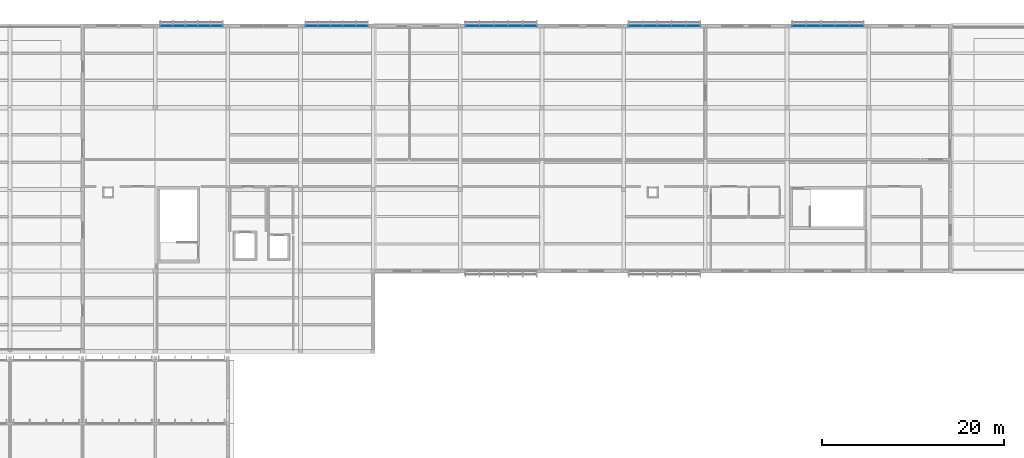
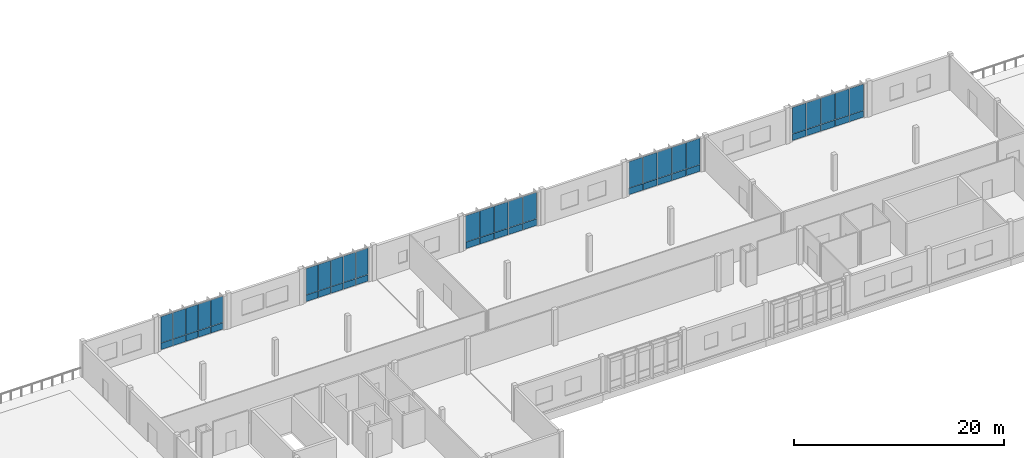
# One storey, part 79 of 94: 50 plates, 5 elements without a shape of their own.
"""IFC4 building model written with IfcOpenShell, lengths in metres."""

import ifcopenshell
import ifcopenshell.guid

model = None  # the IFC model being written
_history = None  # IfcOwnerHistory: only IFC2X3 demands one
_inside = {}  # id of a spatial element -> (the spatial element, [elements in it])
_under = {}  # id of a project, library or spatial element -> (it, [spatial elements below it])
_declared = {}  # id of a project -> (the project, [libraries it declares])
_typed = {}  # id of a type object -> (the type object, [elements of that type])
_made_of = {}  # id of a material, layer set ... -> (it, [elements and type objects made of it])


def new_model(schema):
    """Start an empty IFC model of exactly this schema.

    Asked for "IFC4X3", IfcOpenShell would pick the latest addendum, in which some entities
    have other attributes; the version numbers below select the first issue.
    IFC2X3 requires an IfcOwnerHistory on every rooted entity: one is made here for all.
    """
    global model, _history
    if schema == "IFC4X3":
        model = ifcopenshell.file(schema_version=(4, 3, 0, 0))
    else:
        model = ifcopenshell.file(schema=schema)
    _inside.clear()
    _under.clear()
    _declared.clear()
    _typed.clear()
    _made_of.clear()
    _history = None
    if model.schema == "IFC2X3":
        org = make("IfcOrganization", Name="unknown")
        user = make(
            "IfcPersonAndOrganization",
            ThePerson=make("IfcPerson", FamilyName="unknown"),
            TheOrganization=org,
        )
        app = make(
            "IfcApplication",
            ApplicationDeveloper=org,
            Version="unknown",
            ApplicationFullName="unknown",
            ApplicationIdentifier="unknown",
        )
        _history = make(
            "IfcOwnerHistory",
            OwningUser=user,
            OwningApplication=app,
            ChangeAction="ADDED",
            CreationDate=0,
        )
    return model


def make(cls, **values):
    """One entity of the class cls with the attributes given. An attribute that is None is left unset."""
    return model.create_entity(
        cls, **{name: value for name, value in values.items() if value is not None}
    )


def rooted(cls, **values):
    """An entity with a GlobalId (a new one), such as an element, a storey or a relation."""
    return make(cls, GlobalId=ifcopenshell.guid.new(), OwnerHistory=_history, **values)


def si_unit(unit_type, name, prefix=None):
    """IfcSIUnit, for example si_unit("LENGTHUNIT", "METRE", prefix="MILLI")."""
    return make("IfcSIUnit", UnitType=unit_type, Prefix=prefix, Name=name)


def assignment(units):
    """IfcUnitAssignment: the units of a project."""
    return None if units is None else make("IfcUnitAssignment", Units=units)


def point(xyz):
    """IfcCartesianPoint."""
    return None if xyz is None else make("IfcCartesianPoint", Coordinates=xyz)


def direction(xyz):
    """IfcDirection."""
    return None if xyz is None else make("IfcDirection", DirectionRatios=xyz)


def frame(location, z_axis=None, x_axis=None):
    """IfcAxis2Placement3D, a coordinate frame: its origin and axes. An axis left out is left unset."""
    return make(
        "IfcAxis2Placement3D",
        Location=point(location),
        Axis=direction(z_axis),
        RefDirection=direction(x_axis),
    )


def frame_2d(location, x_axis=None):
    """IfcAxis2Placement2D, a coordinate frame in the plane: its origin and x axis."""
    return make(
        "IfcAxis2Placement2D", Location=point(location), RefDirection=direction(x_axis)
    )


def origin():
    """The frame at (0, 0, 0) with its axes left unset."""
    return frame((0.0, 0.0, 0.0))


def origin_2d():
    """The frame at (0, 0) in the plane with its x axis left unset."""
    return frame_2d((0.0, 0.0))


def place(relative_to, where):
    """IfcLocalPlacement: puts the frame where relative to a parent placement (None: the world)."""
    return make(
        "IfcLocalPlacement", PlacementRelTo=relative_to, RelativePlacement=where
    )


def context(
    kind, dimensions, precision=None, world=None, true_north=None, identifier=None
):
    """IfcGeometricRepresentationContext, for example the 3D "Model" context."""
    return make(
        "IfcGeometricRepresentationContext",
        ContextIdentifier=identifier,
        ContextType=kind,
        CoordinateSpaceDimension=dimensions,
        Precision=precision,
        WorldCoordinateSystem=world,
        TrueNorth=true_north,
    )


def subcontext(parent, identifier, kind, view, scale=None):
    """IfcGeometricRepresentationSubContext, for example "Body" below "Model"."""
    return make(
        "IfcGeometricRepresentationSubContext",
        ContextIdentifier=identifier,
        ContextType=kind,
        ParentContext=parent,
        TargetScale=scale,
        TargetView=view,
    )


def project(units=None, contexts=None):
    """IfcProject with its units and contexts."""
    return rooted(
        "IfcProject",
        Name="project",
        RepresentationContexts=contexts,
        UnitsInContext=assignment(units),
    )


def spatial(cls, under=None, at=None, **own):
    """A site, building, storey or space (cls), placed at a placement, below another one or the project."""
    s = rooted(cls, ObjectPlacement=at, **own)
    if under is not None:
        _under.setdefault(under.id(), (under, []))[1].append(s)
    return s


def profile(cls, at=None, kind="AREA", **sizes):
    """A parametric profile (cls). Its sizes go by their IFC names, for example OverallWidth=200.0."""
    return make(cls, ProfileType=kind, Position=at, **sizes)


def rectangle(**sizes):
    """IfcRectangleProfileDef."""
    return profile("IfcRectangleProfileDef", **sizes)


def extrude(swept, where, along, depth):
    """IfcExtrudedAreaSolid: the profile swept, set in the frame where, extruded along a direction by depth."""
    return make(
        "IfcExtrudedAreaSolid",
        SweptArea=swept,
        Position=where,
        ExtrudedDirection=direction(along),
        Depth=depth,
    )


def shape(context_of_items, identifier, shape_type, items):
    """IfcShapeRepresentation: the items that make up one representation, for example the "Body"."""
    return make(
        "IfcShapeRepresentation",
        ContextOfItems=context_of_items,
        RepresentationIdentifier=identifier,
        RepresentationType=shape_type,
        Items=items,
    )


def material(Name=None, Category=None):
    """IfcMaterial."""
    return make("IfcMaterial", Name=Name, Category=Category)


def layer(
    of_material, thickness, ventilated=None, Name=None, Category=None, Priority=None
):
    """IfcMaterialLayer: one layer of a wall or slab, of a material (None: an air gap)."""
    return make(
        "IfcMaterialLayer",
        Material=of_material,
        LayerThickness=thickness,
        IsVentilated=ventilated,
        Name=Name,
        Category=Category,
        Priority=Priority,
    )


def layer_set(layers, Name=None):
    """IfcMaterialLayerSet."""
    return make("IfcMaterialLayerSet", MaterialLayers=layers, LayerSetName=Name)


def made_of(thing, what):
    """Note that an element or type object is made of a material, layer set ...; save() writes the relation."""
    if what is not None:
        _made_of.setdefault(what.id(), (what, []))[1].append(thing)
    return thing


def type_object(cls, material=None, **own):
    """A type object (cls), such as IfcWallType, which elements share."""
    return made_of(rooted(cls, **own), material)


def element(
    cls,
    number,
    at=None,
    inside=None,
    cuts=None,
    type_object=None,
    material=None,
    context=None,
    identifier="Body",
    shape_type=None,
    held_by="IfcProductDefinitionShape",
    body=None,
    shapes=None,
    **own,
):
    """One element of the class cls, such as IfcWall. Its Tag is "e" and its number.

    at: its placement. inside: the storey or other place that contains it. cuts: it is an
    opening in that element (IfcRelVoidsElement). A single representation is given by context,
    identifier, shape_type and body (its items); several are given by shapes. held_by: the class
    of the entity that holds the representations. save() writes the other relations.
    """
    e = rooted(cls, Tag="e%d" % number, ObjectPlacement=at, **own)
    if body is not None:
        shapes = [shape(context, identifier, shape_type, body)]
    if shapes is not None:
        e.Representation = make(held_by, Representations=shapes)
    if inside is not None:
        _inside.setdefault(inside.id(), (inside, []))[1].append(e)
    if cuts is not None:
        rooted(
            "IfcRelVoidsElement", RelatingBuildingElement=cuts, RelatedOpeningElement=e
        )
    if type_object is not None:
        _typed.setdefault(type_object.id(), (type_object, []))[1].append(e)
    return made_of(e, material)


def aggregate(whole, parts):
    """IfcRelAggregates: a whole, such as a stair, and the parts it consists of."""
    return rooted("IfcRelAggregates", RelatingObject=whole, RelatedObjects=parts)


def save(model, path):
    """Write the relations noted so far, then the file.

    IfcRelAggregates (storeys below a building ...), IfcRelContainedInSpatialStructure (elements
    in a storey), IfcRelDefinesByType, IfcRelAssociatesMaterial and IfcRelDeclares: one each for
    every whole, place, type object, material and project.
    """
    for whole, parts in _under.values():
        aggregate(whole, parts)
    for where, things in _inside.values():
        rooted(
            "IfcRelContainedInSpatialStructure",
            RelatedElements=things,
            RelatingStructure=where,
        )
    for kind, things in _typed.values():
        rooted("IfcRelDefinesByType", RelatedObjects=things, RelatingType=kind)
    for what, things in _made_of.values():
        rooted("IfcRelAssociatesMaterial", RelatedObjects=things, RelatingMaterial=what)
    for by, libraries in _declared.values():
        rooted("IfcRelDeclares", RelatingContext=by, RelatedDefinitions=libraries)
    model.write(path)


model = new_model("IFC4")

# Units and contexts
model_context = context("Model", 3, precision=1e-05, world=origin(), true_north=direction((0.0, 1.0)))
body_context = subcontext(model_context, "Body", "Model", "MODEL_VIEW")
ifc_project = project(units=[si_unit("LENGTHUNIT", "METRE"), si_unit("AREAUNIT", "SQUARE_METRE"), si_unit("VOLUMEUNIT", "CUBIC_METRE"), si_unit("PLANEANGLEUNIT", "RADIAN"), si_unit("MASSUNIT", "GRAM", prefix="KILO")], contexts=[model_context])

# Site, building, storey
site_placement = place(None, origin())
site = spatial("IfcSite", under=ifc_project, at=site_placement, CompositionType="ELEMENT")
building_placement = place(site_placement, origin())
building = spatial("IfcBuilding", under=site, at=building_placement, Name="Chiffa Square Polytechnic", CompositionType="ELEMENT")
storey_placement = place(building_placement, frame((0.0, 0.0, 18.0)))
storey = spatial("IfcBuildingStorey", under=building, at=storey_placement, Name="L04", CompositionType="ELEMENT", Elevation=18.0)

# Curtain wall, plates
ifc_material_1 = material(Name="Aluminium EN AW-6060 T66 and glulam shading", Category="wood")
curtain_wall_type_1 = type_object("IfcCurtainWallType", Name="CW-VERT-540X440", PredefinedType="USERDEFINED", material=ifc_material_1)
curtain_wall_1_placement = place(storey_placement, origin())
curtain_wall_1 = element("IfcCurtainWall", 1, at=curtain_wall_1_placement, inside=storey, type_object=curtain_wall_type_1, Name="Curtain wall CW-V5-L04-247", ObjectType="CURTAIN WALL", PredefinedType="USERDEFINED")
ifc_material_2 = material(Name="Double glazing", Category="glass")
ifc_layer_1 = layer(ifc_material_2, 0.0458984375, Name="Double glazing")
ifc_layer_set_1 = layer_set([ifc_layer_1], Name="Double glazing")
plate_type_1 = type_object("IfcPlateType", Name="CWP-GLZ-128X106", PredefinedType="CURTAIN_PANEL", material=ifc_layer_set_1)
plate_1_placement = place(storey_placement, frame((30.757080078125, 130.800048828125, 0.83984375), z_axis=(0.0, 0.0, 1.0), x_axis=(-1.0, 0.0, 0.0)))
plate_1 = element("IfcPlate", 2, at=plate_1_placement, type_object=plate_type_1, Name="Glazed curtain panel CW-V5-L04-247-PN01", PredefinedType="CURTAIN_PANEL", context=body_context, shape_type="SweptSolid", body=[
    extrude(rectangle(XDim=1.31005859375, YDim=0.0458984375, at=origin_2d()), origin(), (0.0, 0.0, 1.0), 3.050048828125),
])
plate_2_placement = place(storey_placement, frame((29.384033203125, 130.800048828125, 0.83984375), z_axis=(0.0, 0.0, 1.0), x_axis=(-1.0, 0.0, 0.0)))
plate_2 = element("IfcPlate", 3, at=plate_2_placement, type_object=plate_type_1, Name="Glazed curtain panel CW-V5-L04-247-PN02", PredefinedType="CURTAIN_PANEL", context=body_context, shape_type="SweptSolid", body=[
    extrude(rectangle(XDim=1.33203125, YDim=0.0458984375, at=origin_2d()), origin(), (0.0, 0.0, 1.0), 3.050048828125),
])
plate_3_placement = place(storey_placement, frame((28.0, 130.800048828125, 0.83984375), z_axis=(0.0, 0.0, 1.0), x_axis=(-1.0, 0.0, 0.0)))
plate_3 = element("IfcPlate", 4, at=plate_3_placement, type_object=plate_type_1, Name="Glazed curtain panel CW-V5-L04-247-PN03", PredefinedType="CURTAIN_PANEL", context=body_context, shape_type="SweptSolid", body=[
    extrude(rectangle(XDim=1.33203125, YDim=0.0458984375, at=origin_2d()), origin(), (0.0, 0.0, 1.0), 3.050048828125),
])
plate_4_placement = place(storey_placement, frame((26.615966796875, 130.800048828125, 0.83984375), z_axis=(0.0, 0.0, 1.0), x_axis=(-1.0, 0.0, 0.0)))
plate_4 = element("IfcPlate", 5, at=plate_4_placement, type_object=plate_type_1, Name="Glazed curtain panel CW-V5-L04-247-PN04", PredefinedType="CURTAIN_PANEL", context=body_context, shape_type="SweptSolid", body=[
    extrude(rectangle(XDim=1.33203125, YDim=0.0458984375, at=origin_2d()), origin(), (0.0, 0.0, 1.0), 3.050048828125),
])
plate_5_placement = place(storey_placement, frame((25.242919921875, 130.800048828125, 0.83984375), z_axis=(0.0, 0.0, 1.0), x_axis=(-1.0, 0.0, 0.0)))
plate_5 = element("IfcPlate", 6, at=plate_5_placement, type_object=plate_type_1, Name="Glazed curtain panel CW-V5-L04-247-PN05", PredefinedType="CURTAIN_PANEL", context=body_context, shape_type="SweptSolid", body=[
    extrude(rectangle(XDim=1.31005859375, YDim=0.0458984375, at=origin_2d()), origin(), (0.0, 0.0, 1.0), 3.050048828125),
])

curtain_wall_type_2 = type_object("IfcCurtainWallType", Name="CW-VERT-480X380", PredefinedType="USERDEFINED", material=ifc_material_1)
curtain_wall_2_placement = place(storey_placement, origin())
curtain_wall_2 = element("IfcCurtainWall", 7, at=curtain_wall_2_placement, inside=storey, type_object=curtain_wall_type_2, Name="Curtain wall CW-V5-L04-246", ObjectType="CURTAIN WALL", PredefinedType="USERDEFINED")
ifc_layer_2 = layer(ifc_material_2, 0.0458984375, Name="Double glazing")
ifc_layer_set_2 = layer_set([ifc_layer_2], Name="Double glazing")
plate_type_2 = type_object("IfcPlateType", Name="CWP-GLZ-130X110", PredefinedType="CURTAIN_PANEL", material=ifc_layer_set_2)
plate_6_placement = place(storey_placement, frame((46.757080078125, 130.800048828125, 0.83984375), z_axis=(0.0, 0.0, 1.0), x_axis=(-1.0, 0.0, 0.0)))
plate_6 = element("IfcPlate", 8, at=plate_6_placement, type_object=plate_type_2, Name="Glazed curtain panel CW-V5-L04-246-PN01", PredefinedType="CURTAIN_PANEL", context=body_context, shape_type="SweptSolid", body=[
    extrude(rectangle(XDim=1.31005859375, YDim=0.0458984375, at=origin_2d()), origin(), (0.0, 0.0, 1.0), 3.050048828125),
])
plate_7_placement = place(storey_placement, frame((45.384033203125, 130.800048828125, 0.83984375), z_axis=(0.0, 0.0, 1.0), x_axis=(-1.0, 0.0, 0.0)))
plate_7 = element("IfcPlate", 9, at=plate_7_placement, type_object=plate_type_2, Name="Glazed curtain panel CW-V5-L04-246-PN02", PredefinedType="CURTAIN_PANEL", context=body_context, shape_type="SweptSolid", body=[
    extrude(rectangle(XDim=1.33203125, YDim=0.0458984375, at=origin_2d()), origin(), (0.0, 0.0, 1.0), 3.050048828125),
])
plate_8_placement = place(storey_placement, frame((44.0, 130.800048828125, 0.83984375), z_axis=(0.0, 0.0, 1.0), x_axis=(-1.0, 0.0, 0.0)))
plate_8 = element("IfcPlate", 10, at=plate_8_placement, type_object=plate_type_2, Name="Glazed curtain panel CW-V5-L04-246-PN03", PredefinedType="CURTAIN_PANEL", context=body_context, shape_type="SweptSolid", body=[
    extrude(rectangle(XDim=1.33203125, YDim=0.0458984375, at=origin_2d()), origin(), (0.0, 0.0, 1.0), 3.050048828125),
])
plate_9_placement = place(storey_placement, frame((42.615966796875, 130.800048828125, 0.83984375), z_axis=(0.0, 0.0, 1.0), x_axis=(-1.0, 0.0, 0.0)))
plate_9 = element("IfcPlate", 11, at=plate_9_placement, type_object=plate_type_2, Name="Glazed curtain panel CW-V5-L04-246-PN04", PredefinedType="CURTAIN_PANEL", context=body_context, shape_type="SweptSolid", body=[
    extrude(rectangle(XDim=1.33203125, YDim=0.0458984375, at=origin_2d()), origin(), (0.0, 0.0, 1.0), 3.050048828125),
])
plate_10_placement = place(storey_placement, frame((41.242919921875, 130.800048828125, 0.83984375), z_axis=(0.0, 0.0, 1.0), x_axis=(-1.0, 0.0, 0.0)))
plate_10 = element("IfcPlate", 12, at=plate_10_placement, type_object=plate_type_2, Name="Glazed curtain panel CW-V5-L04-246-PN05", PredefinedType="CURTAIN_PANEL", context=body_context, shape_type="SweptSolid", body=[
    extrude(rectangle(XDim=1.31005859375, YDim=0.0458984375, at=origin_2d()), origin(), (0.0, 0.0, 1.0), 3.050048828125),
])

curtain_wall_type_3 = type_object("IfcCurtainWallType", Name="CW-VERT-360X380", PredefinedType="USERDEFINED", material=ifc_material_1)
curtain_wall_3_placement = place(storey_placement, origin())
curtain_wall_3 = element("IfcCurtainWall", 13, at=curtain_wall_3_placement, inside=storey, type_object=curtain_wall_type_3, Name="Curtain wall CW-V5-L04-245", ObjectType="CURTAIN WALL", PredefinedType="USERDEFINED")
ifc_layer_3 = layer(ifc_material_2, 0.0439453125, Name="Double glazing")
ifc_layer_set_3 = layer_set([ifc_layer_3], Name="Double glazing")
plate_type_3 = type_object("IfcPlateType", Name="CWP-GLZ-132X114", PredefinedType="CURTAIN_PANEL", material=ifc_layer_set_3)
plate_11_placement = place(storey_placement, frame((65.257080078125, 130.800048828125, 0.83984375), z_axis=(0.0, 0.0, 1.0), x_axis=(-1.0, 0.0, 0.0)))
plate_11 = element("IfcPlate", 14, at=plate_11_placement, type_object=plate_type_3, Name="Glazed curtain panel CW-V5-L04-245-PN01", PredefinedType="CURTAIN_PANEL", context=body_context, shape_type="SweptSolid", body=[
    extrude(rectangle(XDim=1.510009765625, YDim=0.0439453125, at=origin_2d()), origin(), (0.0, 0.0, 1.0), 3.050048828125),
])
plate_12_placement = place(storey_placement, frame((63.68408203125, 130.800048828125, 0.83984375), z_axis=(0.0, 0.0, 1.0), x_axis=(-1.0, 0.0, 0.0)))
plate_12 = element("IfcPlate", 15, at=plate_12_placement, type_object=plate_type_3, Name="Glazed curtain panel CW-V5-L04-245-PN02", PredefinedType="CURTAIN_PANEL", context=body_context, shape_type="SweptSolid", body=[
    extrude(rectangle(XDim=1.531982421875, YDim=0.0439453125, at=origin_2d()), origin(), (0.0, 0.0, 1.0), 3.050048828125),
])
plate_13_placement = place(storey_placement, frame((62.10009765625, 130.800048828125, 0.83984375), z_axis=(0.0, 0.0, 1.0), x_axis=(-1.0, 0.0, 0.0)))
plate_13 = element("IfcPlate", 16, at=plate_13_placement, type_object=plate_type_3, Name="Glazed curtain panel CW-V5-L04-245-PN03", PredefinedType="CURTAIN_PANEL", context=body_context, shape_type="SweptSolid", body=[
    extrude(rectangle(XDim=1.531982421875, YDim=0.0439453125, at=origin_2d()), origin(), (0.0, 0.0, 1.0), 3.050048828125),
])
plate_14_placement = place(storey_placement, frame((60.51611328125, 130.800048828125, 0.83984375), z_axis=(0.0, 0.0, 1.0), x_axis=(-1.0, 0.0, 0.0)))
plate_14 = element("IfcPlate", 17, at=plate_14_placement, type_object=plate_type_3, Name="Glazed curtain panel CW-V5-L04-245-PN04", PredefinedType="CURTAIN_PANEL", context=body_context, shape_type="SweptSolid", body=[
    extrude(rectangle(XDim=1.531982421875, YDim=0.0439453125, at=origin_2d()), origin(), (0.0, 0.0, 1.0), 3.050048828125),
])
plate_15_placement = place(storey_placement, frame((58.943115234375, 130.800048828125, 0.83984375), z_axis=(0.0, 0.0, 1.0), x_axis=(-1.0, 0.0, 0.0)))
plate_15 = element("IfcPlate", 18, at=plate_15_placement, type_object=plate_type_3, Name="Glazed curtain panel CW-V5-L04-245-PN05", PredefinedType="CURTAIN_PANEL", context=body_context, shape_type="SweptSolid", body=[
    extrude(rectangle(XDim=1.510009765625, YDim=0.0439453125, at=origin_2d()), origin(), (0.0, 0.0, 1.0), 3.050048828125),
])

curtain_wall_type_4 = type_object("IfcCurtainWallType", Name="CW-VERT-600X380", PredefinedType="USERDEFINED", material=ifc_material_1)
curtain_wall_4_placement = place(storey_placement, origin())
curtain_wall_4 = element("IfcCurtainWall", 19, at=curtain_wall_4_placement, inside=storey, type_object=curtain_wall_type_4, Name="Curtain wall CW-V5-L04-244", ObjectType="CURTAIN WALL", PredefinedType="USERDEFINED")
ifc_layer_4 = layer(ifc_material_2, 0.0439453125, Name="Double glazing")
ifc_layer_set_4 = layer_set([ifc_layer_4], Name="Double glazing")
plate_type_4 = type_object("IfcPlateType", Name="CWP-GLZ-134X118", PredefinedType="CURTAIN_PANEL", material=ifc_layer_set_4)
plate_16_placement = place(storey_placement, frame((83.257080078125, 130.800048828125, 0.83984375), z_axis=(0.0, 0.0, 1.0), x_axis=(-1.0, 0.0, 0.0)))
plate_16 = element("IfcPlate", 20, at=plate_16_placement, type_object=plate_type_4, Name="Glazed curtain panel CW-V5-L04-244-PN01", PredefinedType="CURTAIN_PANEL", context=body_context, shape_type="SweptSolid", body=[
    extrude(rectangle(XDim=1.510009765625, YDim=0.0439453125, at=origin_2d()), origin(), (0.0, 0.0, 1.0), 3.050048828125),
])
plate_17_placement = place(storey_placement, frame((81.68408203125, 130.800048828125, 0.83984375), z_axis=(0.0, 0.0, 1.0), x_axis=(-1.0, 0.0, 0.0)))
plate_17 = element("IfcPlate", 21, at=plate_17_placement, type_object=plate_type_4, Name="Glazed curtain panel CW-V5-L04-244-PN02", PredefinedType="CURTAIN_PANEL", context=body_context, shape_type="SweptSolid", body=[
    extrude(rectangle(XDim=1.531982421875, YDim=0.0439453125, at=origin_2d()), origin(), (0.0, 0.0, 1.0), 3.050048828125),
])
plate_18_placement = place(storey_placement, frame((80.10009765625, 130.800048828125, 0.83984375), z_axis=(0.0, 0.0, 1.0), x_axis=(-1.0, 0.0, 0.0)))
plate_18 = element("IfcPlate", 22, at=plate_18_placement, type_object=plate_type_4, Name="Glazed curtain panel CW-V5-L04-244-PN03", PredefinedType="CURTAIN_PANEL", context=body_context, shape_type="SweptSolid", body=[
    extrude(rectangle(XDim=1.531982421875, YDim=0.0439453125, at=origin_2d()), origin(), (0.0, 0.0, 1.0), 3.050048828125),
])
plate_19_placement = place(storey_placement, frame((78.51611328125, 130.800048828125, 0.83984375), z_axis=(0.0, 0.0, 1.0), x_axis=(-1.0, 0.0, 0.0)))
plate_19 = element("IfcPlate", 23, at=plate_19_placement, type_object=plate_type_4, Name="Glazed curtain panel CW-V5-L04-244-PN04", PredefinedType="CURTAIN_PANEL", context=body_context, shape_type="SweptSolid", body=[
    extrude(rectangle(XDim=1.531982421875, YDim=0.0439453125, at=origin_2d()), origin(), (0.0, 0.0, 1.0), 3.050048828125),
])
plate_20_placement = place(storey_placement, frame((76.943115234375, 130.800048828125, 0.83984375), z_axis=(0.0, 0.0, 1.0), x_axis=(-1.0, 0.0, 0.0)))
plate_20 = element("IfcPlate", 24, at=plate_20_placement, type_object=plate_type_4, Name="Glazed curtain panel CW-V5-L04-244-PN05", PredefinedType="CURTAIN_PANEL", context=body_context, shape_type="SweptSolid", body=[
    extrude(rectangle(XDim=1.510009765625, YDim=0.0439453125, at=origin_2d()), origin(), (0.0, 0.0, 1.0), 3.050048828125),
])

curtain_wall_type_5 = type_object("IfcCurtainWallType", Name="CW-VERT-300X380", PredefinedType="USERDEFINED", material=ifc_material_1)
curtain_wall_5_placement = place(storey_placement, origin())
curtain_wall_5 = element("IfcCurtainWall", 25, at=curtain_wall_5_placement, inside=storey, type_object=curtain_wall_type_5, Name="Curtain wall CW-V5-L04-243", ObjectType="CURTAIN WALL", PredefinedType="USERDEFINED")
ifc_layer_5 = layer(ifc_material_2, 0.0419921875, Name="Double glazing")
ifc_layer_set_5 = layer_set([ifc_layer_5], Name="Double glazing")
plate_type_5 = type_object("IfcPlateType", Name="CWP-GLZ-136X122", PredefinedType="CURTAIN_PANEL", material=ifc_layer_set_5)
plate_21_placement = place(storey_placement, frame((101.257080078125, 130.800048828125, 0.83984375), z_axis=(0.0, 0.0, 1.0), x_axis=(-1.0, 0.0, 0.0)))
plate_21 = element("IfcPlate", 26, at=plate_21_placement, type_object=plate_type_5, Name="Glazed curtain panel CW-V5-L04-243-PN01", PredefinedType="CURTAIN_PANEL", context=body_context, shape_type="SweptSolid", body=[
    extrude(rectangle(XDim=1.510009765625, YDim=0.0419921875, at=origin_2d()), origin(), (0.0, 0.0, 1.0), 3.050048828125),
])
plate_22_placement = place(storey_placement, frame((99.68408203125, 130.800048828125, 0.83984375), z_axis=(0.0, 0.0, 1.0), x_axis=(-1.0, 0.0, 0.0)))
plate_22 = element("IfcPlate", 27, at=plate_22_placement, type_object=plate_type_5, Name="Glazed curtain panel CW-V5-L04-243-PN02", PredefinedType="CURTAIN_PANEL", context=body_context, shape_type="SweptSolid", body=[
    extrude(rectangle(XDim=1.531982421875, YDim=0.0419921875, at=origin_2d()), origin(), (0.0, 0.0, 1.0), 3.050048828125),
])
plate_23_placement = place(storey_placement, frame((98.10009765625, 130.800048828125, 0.83984375), z_axis=(0.0, 0.0, 1.0), x_axis=(-1.0, 0.0, 0.0)))
plate_23 = element("IfcPlate", 28, at=plate_23_placement, type_object=plate_type_5, Name="Glazed curtain panel CW-V5-L04-243-PN03", PredefinedType="CURTAIN_PANEL", context=body_context, shape_type="SweptSolid", body=[
    extrude(rectangle(XDim=1.531982421875, YDim=0.0419921875, at=origin_2d()), origin(), (0.0, 0.0, 1.0), 3.050048828125),
])
plate_24_placement = place(storey_placement, frame((96.51611328125, 130.800048828125, 0.83984375), z_axis=(0.0, 0.0, 1.0), x_axis=(-1.0, 0.0, 0.0)))
plate_24 = element("IfcPlate", 29, at=plate_24_placement, type_object=plate_type_5, Name="Glazed curtain panel CW-V5-L04-243-PN04", PredefinedType="CURTAIN_PANEL", context=body_context, shape_type="SweptSolid", body=[
    extrude(rectangle(XDim=1.531982421875, YDim=0.0419921875, at=origin_2d()), origin(), (0.0, 0.0, 1.0), 3.050048828125),
])
plate_25_placement = place(storey_placement, frame((94.943115234375, 130.800048828125, 0.83984375), z_axis=(0.0, 0.0, 1.0), x_axis=(-1.0, 0.0, 0.0)))
plate_25 = element("IfcPlate", 30, at=plate_25_placement, type_object=plate_type_5, Name="Glazed curtain panel CW-V5-L04-243-PN05", PredefinedType="CURTAIN_PANEL", context=body_context, shape_type="SweptSolid", body=[
    extrude(rectangle(XDim=1.510009765625, YDim=0.0419921875, at=origin_2d()), origin(), (0.0, 0.0, 1.0), 3.050048828125),
])

# Plate
ifc_material_3 = material(Name="Aluminium insulated spandrel", Category="aluminium")
ifc_layer_6 = layer(ifc_material_3, 0.072021484375, Name="Aluminium insulated spandrel")
ifc_layer_set_6 = layer_set([ifc_layer_6], Name="Aluminium insulated spandrel")
plate_type_6 = type_object("IfcPlateType", Name="CWP-SPN-136X072", PredefinedType="SHEET", material=ifc_layer_set_6)
plate_26_placement = place(storey_placement, frame((65.257080078125, 130.800048828125, 0.050048828125), z_axis=(0.0, 0.0, 1.0), x_axis=(-1.0, 0.0, 0.0)))
plate_26 = element("IfcPlate", 31, at=plate_26_placement, type_object=plate_type_6, Name="Spandrel panel CW-V5-L04-245-SP01", PredefinedType="SHEET", context=body_context, shape_type="SweptSolid", body=[
    extrude(rectangle(XDim=1.510009765625, YDim=0.072021484375, at=origin_2d()), origin(), (0.0, 0.0, 1.0), 0.75),
])

plate_27_placement = place(storey_placement, frame((63.68408203125, 130.800048828125, 0.050048828125), z_axis=(0.0, 0.0, 1.0), x_axis=(-1.0, 0.0, 0.0)))
plate_27 = element("IfcPlate", 32, at=plate_27_placement, type_object=plate_type_6, Name="Spandrel panel CW-V5-L04-245-SP02", PredefinedType="SHEET", context=body_context, shape_type="SweptSolid", body=[
    extrude(rectangle(XDim=1.531982421875, YDim=0.072021484375, at=origin_2d()), origin(), (0.0, 0.0, 1.0), 0.75),
])

plate_28_placement = place(storey_placement, frame((62.10009765625, 130.800048828125, 0.050048828125), z_axis=(0.0, 0.0, 1.0), x_axis=(-1.0, 0.0, 0.0)))
plate_28 = element("IfcPlate", 33, at=plate_28_placement, type_object=plate_type_6, Name="Spandrel panel CW-V5-L04-245-SP03", PredefinedType="SHEET", context=body_context, shape_type="SweptSolid", body=[
    extrude(rectangle(XDim=1.531982421875, YDim=0.072021484375, at=origin_2d()), origin(), (0.0, 0.0, 1.0), 0.75),
])

plate_29_placement = place(storey_placement, frame((60.51611328125, 130.800048828125, 0.050048828125), z_axis=(0.0, 0.0, 1.0), x_axis=(-1.0, 0.0, 0.0)))
plate_29 = element("IfcPlate", 34, at=plate_29_placement, type_object=plate_type_6, Name="Spandrel panel CW-V5-L04-245-SP04", PredefinedType="SHEET", context=body_context, shape_type="SweptSolid", body=[
    extrude(rectangle(XDim=1.531982421875, YDim=0.072021484375, at=origin_2d()), origin(), (0.0, 0.0, 1.0), 0.75),
])

plate_30_placement = place(storey_placement, frame((58.943115234375, 130.800048828125, 0.050048828125), z_axis=(0.0, 0.0, 1.0), x_axis=(-1.0, 0.0, 0.0)))
plate_30 = element("IfcPlate", 35, at=plate_30_placement, type_object=plate_type_6, Name="Spandrel panel CW-V5-L04-245-SP05", PredefinedType="SHEET", context=body_context, shape_type="SweptSolid", body=[
    extrude(rectangle(XDim=1.510009765625, YDim=0.072021484375, at=origin_2d()), origin(), (0.0, 0.0, 1.0), 0.75),
])

aggregate(curtain_wall_3, [plate_26, plate_11, plate_27, plate_12, plate_28, plate_13, plate_29, plate_14, plate_30, plate_15])

ifc_layer_7 = layer(ifc_material_3, 0.070068359375, Name="Aluminium insulated spandrel")
ifc_layer_set_7 = layer_set([ifc_layer_7], Name="Aluminium insulated spandrel")
plate_type_7 = type_object("IfcPlateType", Name="CWP-SPN-138X074", PredefinedType="SHEET", material=ifc_layer_set_7)
plate_31_placement = place(storey_placement, frame((83.257080078125, 130.800048828125, 0.050048828125), z_axis=(0.0, 0.0, 1.0), x_axis=(-1.0, 0.0, 0.0)))
plate_31 = element("IfcPlate", 36, at=plate_31_placement, type_object=plate_type_7, Name="Spandrel panel CW-V5-L04-244-SP01", PredefinedType="SHEET", context=body_context, shape_type="SweptSolid", body=[
    extrude(rectangle(XDim=1.510009765625, YDim=0.070068359375, at=origin_2d()), origin(), (0.0, 0.0, 1.0), 0.75),
])

plate_32_placement = place(storey_placement, frame((81.68408203125, 130.800048828125, 0.050048828125), z_axis=(0.0, 0.0, 1.0), x_axis=(-1.0, 0.0, 0.0)))
plate_32 = element("IfcPlate", 37, at=plate_32_placement, type_object=plate_type_7, Name="Spandrel panel CW-V5-L04-244-SP02", PredefinedType="SHEET", context=body_context, shape_type="SweptSolid", body=[
    extrude(rectangle(XDim=1.531982421875, YDim=0.070068359375, at=origin_2d()), origin(), (0.0, 0.0, 1.0), 0.75),
])

plate_33_placement = place(storey_placement, frame((80.10009765625, 130.800048828125, 0.050048828125), z_axis=(0.0, 0.0, 1.0), x_axis=(-1.0, 0.0, 0.0)))
plate_33 = element("IfcPlate", 38, at=plate_33_placement, type_object=plate_type_7, Name="Spandrel panel CW-V5-L04-244-SP03", PredefinedType="SHEET", context=body_context, shape_type="SweptSolid", body=[
    extrude(rectangle(XDim=1.531982421875, YDim=0.070068359375, at=origin_2d()), origin(), (0.0, 0.0, 1.0), 0.75),
])

plate_34_placement = place(storey_placement, frame((78.51611328125, 130.800048828125, 0.050048828125), z_axis=(0.0, 0.0, 1.0), x_axis=(-1.0, 0.0, 0.0)))
plate_34 = element("IfcPlate", 39, at=plate_34_placement, type_object=plate_type_7, Name="Spandrel panel CW-V5-L04-244-SP04", PredefinedType="SHEET", context=body_context, shape_type="SweptSolid", body=[
    extrude(rectangle(XDim=1.531982421875, YDim=0.070068359375, at=origin_2d()), origin(), (0.0, 0.0, 1.0), 0.75),
])

plate_35_placement = place(storey_placement, frame((76.943115234375, 130.800048828125, 0.050048828125), z_axis=(0.0, 0.0, 1.0), x_axis=(-1.0, 0.0, 0.0)))
plate_35 = element("IfcPlate", 40, at=plate_35_placement, type_object=plate_type_7, Name="Spandrel panel CW-V5-L04-244-SP05", PredefinedType="SHEET", context=body_context, shape_type="SweptSolid", body=[
    extrude(rectangle(XDim=1.510009765625, YDim=0.070068359375, at=origin_2d()), origin(), (0.0, 0.0, 1.0), 0.75),
])

aggregate(curtain_wall_4, [plate_31, plate_16, plate_32, plate_17, plate_33, plate_18, plate_34, plate_19, plate_35, plate_20])

ifc_layer_8 = layer(ifc_material_3, 0.068115234375, Name="Aluminium insulated spandrel")
ifc_layer_set_8 = layer_set([ifc_layer_8], Name="Aluminium insulated spandrel")
plate_type_8 = type_object("IfcPlateType", Name="CWP-SPN-140X076", PredefinedType="SHEET", material=ifc_layer_set_8)
plate_36_placement = place(storey_placement, frame((101.257080078125, 130.800048828125, 0.050048828125), z_axis=(0.0, 0.0, 1.0), x_axis=(-1.0, 0.0, 0.0)))
plate_36 = element("IfcPlate", 41, at=plate_36_placement, type_object=plate_type_8, Name="Spandrel panel CW-V5-L04-243-SP01", PredefinedType="SHEET", context=body_context, shape_type="SweptSolid", body=[
    extrude(rectangle(XDim=1.510009765625, YDim=0.068115234375, at=origin_2d()), origin(), (0.0, 0.0, 1.0), 0.75),
])

plate_37_placement = place(storey_placement, frame((99.68408203125, 130.800048828125, 0.050048828125), z_axis=(0.0, 0.0, 1.0), x_axis=(-1.0, 0.0, 0.0)))
plate_37 = element("IfcPlate", 42, at=plate_37_placement, type_object=plate_type_8, Name="Spandrel panel CW-V5-L04-243-SP02", PredefinedType="SHEET", context=body_context, shape_type="SweptSolid", body=[
    extrude(rectangle(XDim=1.531982421875, YDim=0.068115234375, at=origin_2d()), origin(), (0.0, 0.0, 1.0), 0.75),
])

plate_38_placement = place(storey_placement, frame((98.10009765625, 130.800048828125, 0.050048828125), z_axis=(0.0, 0.0, 1.0), x_axis=(-1.0, 0.0, 0.0)))
plate_38 = element("IfcPlate", 43, at=plate_38_placement, type_object=plate_type_8, Name="Spandrel panel CW-V5-L04-243-SP03", PredefinedType="SHEET", context=body_context, shape_type="SweptSolid", body=[
    extrude(rectangle(XDim=1.531982421875, YDim=0.068115234375, at=origin_2d()), origin(), (0.0, 0.0, 1.0), 0.75),
])

plate_39_placement = place(storey_placement, frame((96.51611328125, 130.800048828125, 0.050048828125), z_axis=(0.0, 0.0, 1.0), x_axis=(-1.0, 0.0, 0.0)))
plate_39 = element("IfcPlate", 44, at=plate_39_placement, type_object=plate_type_8, Name="Spandrel panel CW-V5-L04-243-SP04", PredefinedType="SHEET", context=body_context, shape_type="SweptSolid", body=[
    extrude(rectangle(XDim=1.531982421875, YDim=0.068115234375, at=origin_2d()), origin(), (0.0, 0.0, 1.0), 0.75),
])

plate_40_placement = place(storey_placement, frame((94.943115234375, 130.800048828125, 0.050048828125), z_axis=(0.0, 0.0, 1.0), x_axis=(-1.0, 0.0, 0.0)))
plate_40 = element("IfcPlate", 45, at=plate_40_placement, type_object=plate_type_8, Name="Spandrel panel CW-V5-L04-243-SP05", PredefinedType="SHEET", context=body_context, shape_type="SweptSolid", body=[
    extrude(rectangle(XDim=1.510009765625, YDim=0.068115234375, at=origin_2d()), origin(), (0.0, 0.0, 1.0), 0.75),
])

aggregate(curtain_wall_5, [plate_36, plate_21, plate_37, plate_22, plate_38, plate_23, plate_39, plate_24, plate_40, plate_25])

ifc_layer_9 = layer(ifc_material_3, 0.06005859375, Name="Aluminium insulated spandrel")
ifc_layer_set_9 = layer_set([ifc_layer_9], Name="Aluminium insulated spandrel")
plate_type_9 = type_object("IfcPlateType", Name="CWP-SPN-150X080", PredefinedType="SHEET", material=ifc_layer_set_9)
plate_41_placement = place(storey_placement, frame((30.757080078125, 130.800048828125, 0.050048828125), z_axis=(0.0, 0.0, 1.0), x_axis=(-1.0, 0.0, 0.0)))
plate_41 = element("IfcPlate", 46, at=plate_41_placement, type_object=plate_type_9, Name="Spandrel panel CW-V5-L04-247-SP01", PredefinedType="SHEET", context=body_context, shape_type="SweptSolid", body=[
    extrude(rectangle(XDim=1.31005859375, YDim=0.06005859375, at=origin_2d()), origin(), (0.0, 0.0, 1.0), 0.75),
])

plate_42_placement = place(storey_placement, frame((29.384033203125, 130.800048828125, 0.050048828125), z_axis=(0.0, 0.0, 1.0), x_axis=(-1.0, 0.0, 0.0)))
plate_42 = element("IfcPlate", 47, at=plate_42_placement, type_object=plate_type_9, Name="Spandrel panel CW-V5-L04-247-SP02", PredefinedType="SHEET", context=body_context, shape_type="SweptSolid", body=[
    extrude(rectangle(XDim=1.33203125, YDim=0.06005859375, at=origin_2d()), origin(), (0.0, 0.0, 1.0), 0.75),
])

plate_43_placement = place(storey_placement, frame((28.0, 130.800048828125, 0.050048828125), z_axis=(0.0, 0.0, 1.0), x_axis=(-1.0, 0.0, 0.0)))
plate_43 = element("IfcPlate", 48, at=plate_43_placement, type_object=plate_type_9, Name="Spandrel panel CW-V5-L04-247-SP03", PredefinedType="SHEET", context=body_context, shape_type="SweptSolid", body=[
    extrude(rectangle(XDim=1.33203125, YDim=0.06005859375, at=origin_2d()), origin(), (0.0, 0.0, 1.0), 0.75),
])

plate_44_placement = place(storey_placement, frame((26.615966796875, 130.800048828125, 0.050048828125), z_axis=(0.0, 0.0, 1.0), x_axis=(-1.0, 0.0, 0.0)))
plate_44 = element("IfcPlate", 49, at=plate_44_placement, type_object=plate_type_9, Name="Spandrel panel CW-V5-L04-247-SP04", PredefinedType="SHEET", context=body_context, shape_type="SweptSolid", body=[
    extrude(rectangle(XDim=1.33203125, YDim=0.06005859375, at=origin_2d()), origin(), (0.0, 0.0, 1.0), 0.75),
])

plate_45_placement = place(storey_placement, frame((25.242919921875, 130.800048828125, 0.050048828125), z_axis=(0.0, 0.0, 1.0), x_axis=(-1.0, 0.0, 0.0)))
plate_45 = element("IfcPlate", 50, at=plate_45_placement, type_object=plate_type_9, Name="Spandrel panel CW-V5-L04-247-SP05", PredefinedType="SHEET", context=body_context, shape_type="SweptSolid", body=[
    extrude(rectangle(XDim=1.31005859375, YDim=0.06005859375, at=origin_2d()), origin(), (0.0, 0.0, 1.0), 0.75),
])

aggregate(curtain_wall_1, [plate_41, plate_1, plate_42, plate_2, plate_43, plate_3, plate_44, plate_4, plate_45, plate_5])

ifc_layer_10 = layer(ifc_material_3, 0.06005859375, Name="Aluminium insulated spandrel")
ifc_layer_set_10 = layer_set([ifc_layer_10], Name="Aluminium insulated spandrel")
plate_type_10 = type_object("IfcPlateType", Name="CWP-SPN-150X095", PredefinedType="SHEET", material=ifc_layer_set_10)
plate_46_placement = place(storey_placement, frame((46.757080078125, 130.800048828125, 0.050048828125), z_axis=(0.0, 0.0, 1.0), x_axis=(-1.0, 0.0, 0.0)))
plate_46 = element("IfcPlate", 51, at=plate_46_placement, type_object=plate_type_10, Name="Spandrel panel CW-V5-L04-246-SP01", PredefinedType="SHEET", context=body_context, shape_type="SweptSolid", body=[
    extrude(rectangle(XDim=1.31005859375, YDim=0.06005859375, at=origin_2d()), origin(), (0.0, 0.0, 1.0), 0.75),
])

plate_47_placement = place(storey_placement, frame((45.384033203125, 130.800048828125, 0.050048828125), z_axis=(0.0, 0.0, 1.0), x_axis=(-1.0, 0.0, 0.0)))
plate_47 = element("IfcPlate", 52, at=plate_47_placement, type_object=plate_type_10, Name="Spandrel panel CW-V5-L04-246-SP02", PredefinedType="SHEET", context=body_context, shape_type="SweptSolid", body=[
    extrude(rectangle(XDim=1.33203125, YDim=0.06005859375, at=origin_2d()), origin(), (0.0, 0.0, 1.0), 0.75),
])

plate_48_placement = place(storey_placement, frame((44.0, 130.800048828125, 0.050048828125), z_axis=(0.0, 0.0, 1.0), x_axis=(-1.0, 0.0, 0.0)))
plate_48 = element("IfcPlate", 53, at=plate_48_placement, type_object=plate_type_10, Name="Spandrel panel CW-V5-L04-246-SP03", PredefinedType="SHEET", context=body_context, shape_type="SweptSolid", body=[
    extrude(rectangle(XDim=1.33203125, YDim=0.06005859375, at=origin_2d()), origin(), (0.0, 0.0, 1.0), 0.75),
])

plate_49_placement = place(storey_placement, frame((42.615966796875, 130.800048828125, 0.050048828125), z_axis=(0.0, 0.0, 1.0), x_axis=(-1.0, 0.0, 0.0)))
plate_49 = element("IfcPlate", 54, at=plate_49_placement, type_object=plate_type_10, Name="Spandrel panel CW-V5-L04-246-SP04", PredefinedType="SHEET", context=body_context, shape_type="SweptSolid", body=[
    extrude(rectangle(XDim=1.33203125, YDim=0.06005859375, at=origin_2d()), origin(), (0.0, 0.0, 1.0), 0.75),
])

plate_50_placement = place(storey_placement, frame((41.242919921875, 130.800048828125, 0.050048828125), z_axis=(0.0, 0.0, 1.0), x_axis=(-1.0, 0.0, 0.0)))
plate_50 = element("IfcPlate", 55, at=plate_50_placement, type_object=plate_type_10, Name="Spandrel panel CW-V5-L04-246-SP05", PredefinedType="SHEET", context=body_context, shape_type="SweptSolid", body=[
    extrude(rectangle(XDim=1.31005859375, YDim=0.06005859375, at=origin_2d()), origin(), (0.0, 0.0, 1.0), 0.75),
])

aggregate(curtain_wall_2, [plate_46, plate_6, plate_47, plate_7, plate_48, plate_8, plate_49, plate_9, plate_50, plate_10])

save(model, "model.ifc")
